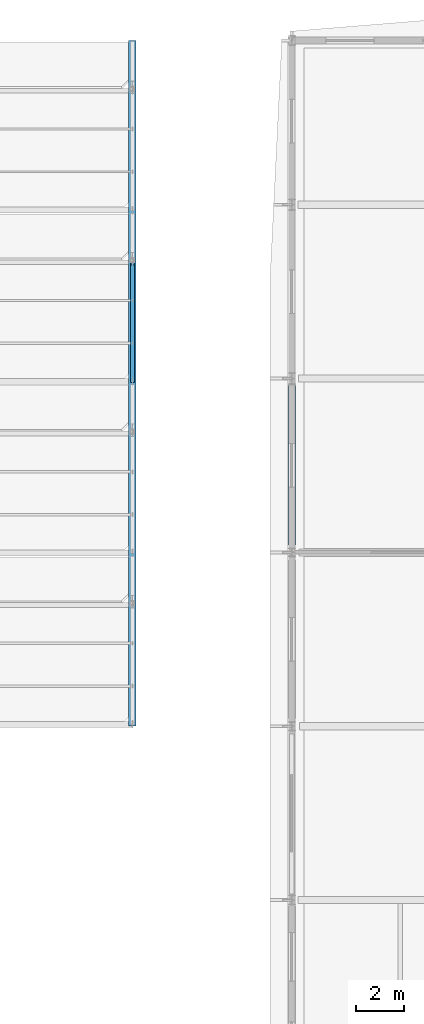
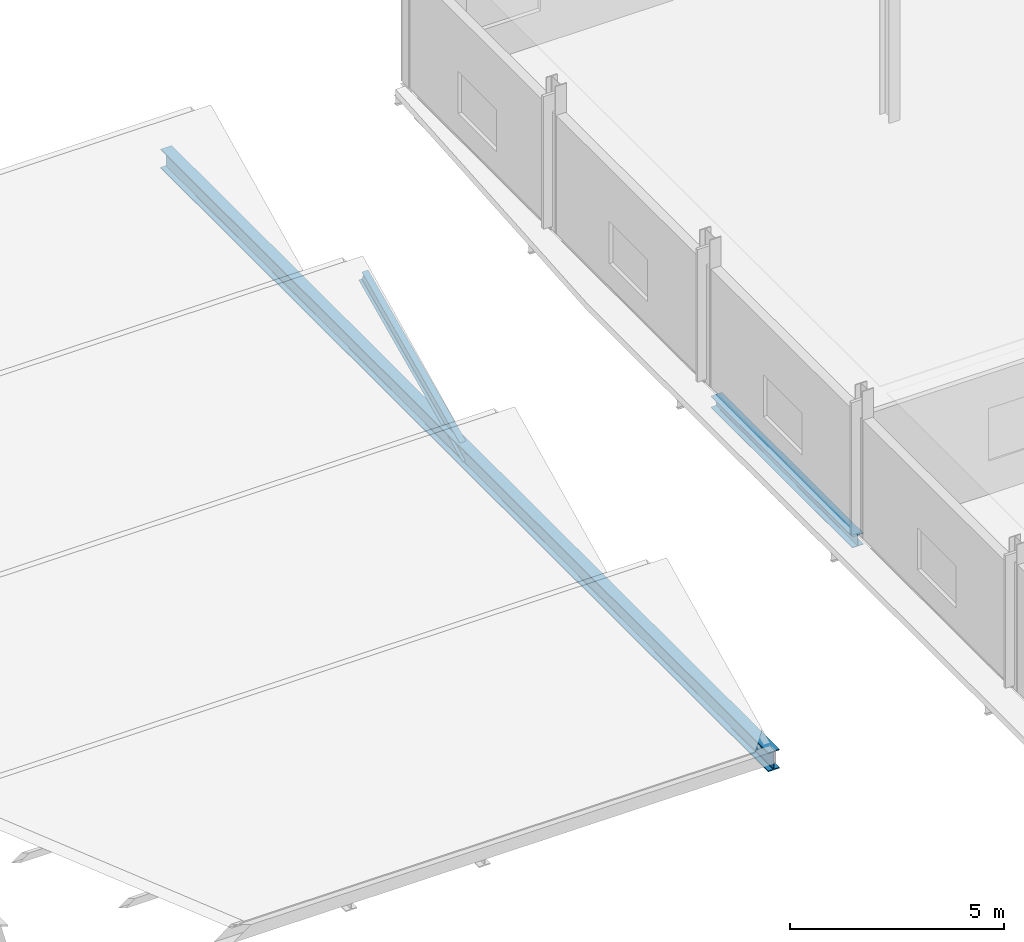
# One storey, part 84 of 138: 3 beams.
"""IFC4 building model written with IfcOpenShell, lengths in metres."""

from ifc_helpers import new_model, si_unit, direction, frame, origin, origin_2d, place, context, subcontext, project, spatial, i_section, extrude, material, material_profile, profile_set, type_object, element, save


model = new_model("IFC4")

# Units and contexts
model_context = context("Model", 3, precision=1e-05, world=origin(), true_north=direction((0.0, 1.0)))
body_context = subcontext(model_context, "Body", "Model", "MODEL_VIEW")
ifc_project = project(units=[si_unit("LENGTHUNIT", "METRE"), si_unit("AREAUNIT", "SQUARE_METRE"), si_unit("VOLUMEUNIT", "CUBIC_METRE"), si_unit("PLANEANGLEUNIT", "RADIAN"), si_unit("MASSUNIT", "GRAM", prefix="KILO")], contexts=[model_context])

# Site, building, storey
site_placement = place(None, origin())
site = spatial("IfcSite", under=ifc_project, at=site_placement, CompositionType="ELEMENT")
building_placement = place(site_placement, origin())
building = spatial("IfcBuilding", under=site, at=building_placement, Name="Vinh Khe Railworks Police Headquarters", CompositionType="ELEMENT")
storey_placement = place(building_placement, frame((0.0, 0.0, 9.0)))
storey = spatial("IfcBuildingStorey", under=building, at=storey_placement, Name="L02", CompositionType="ELEMENT", Elevation=9.0)

# Beams
ifc_material = material(Name="Steel S355JR", Category="steel")
ifc_material_profile_1 = material_profile(ifc_material, i_section(OverallWidth=0.300048828125, OverallDepth=0.330078125, WebThickness=0.009521484375, FlangeThickness=0.0166015625, FilletRadius=0.027099609375, at=origin_2d()), Name="HEA 340")
ifc_profile_set_1 = profile_set([ifc_material_profile_1], Name="Steel S355JR")
beam_type_1 = type_object("IfcBeamType", Name="Steel Girder HEA 340", PredefinedType="BEAM", material=ifc_profile_set_1)
beam_1_placement = place(storey_placement, frame((78.0, 145.5048828125, -0.385009765625), z_axis=(0.0, 1.0, 0.0), x_axis=(-1.0, 0.0, 0.0)))
element("IfcBeam", 1, at=beam_1_placement, inside=storey, type_object=beam_type_1, Name="Girder BM-L02-NS-SB-16-0980", PredefinedType="BEAM", context=body_context, shape_type="SweptSolid", body=[
    extrude(i_section(OverallWidth=0.300048828125, OverallDepth=0.330078125, WebThickness=0.009521484375, FlangeThickness=0.0166015625, FilletRadius=0.027099609375, at=origin_2d()), origin(), (0.0, 0.0, 1.0), 6.615234375),
])
ifc_material_profile_2 = material_profile(ifc_material, i_section(OverallWidth=0.300048828125, OverallDepth=0.550048828125, WebThickness=0.014892578125, FlangeThickness=0.029052734375, FilletRadius=0.027099609375, at=origin_2d()), Name="HEB 550")
ifc_profile_set_2 = profile_set([ifc_material_profile_2], Name="Steel S355JR")
beam_type_2 = type_object("IfcBeamType", Name="Steel Girder HEB 550", PredefinedType="BEAM", material=ifc_profile_set_2)
beam_2_placement = place(storey_placement, frame((71.39990234375, 138.0, 0.199951171875), z_axis=(0.0, 1.0, 0.0), x_axis=(-1.0, 0.0, 0.0)))
element("IfcBeam", 2, at=beam_2_placement, inside=storey, type_object=beam_type_2, Name="Sawtooth Carrier Girder X=71.4", PredefinedType="BEAM", context=body_context, shape_type="SweptSolid", body=[
    extrude(i_section(OverallWidth=0.300048828125, OverallDepth=0.550048828125, WebThickness=0.014892578125, FlangeThickness=0.029052734375, FilletRadius=0.027099609375, at=origin_2d()), origin(), (0.0, 0.0, 1.0), 28.39990234375),
])
ifc_material_profile_3 = material_profile(ifc_material, i_section(OverallWidth=0.169921875, OverallDepth=0.360107421875, WebThickness=0.008056640625, FlangeThickness=0.0126953125, FilletRadius=0.01806640625, at=origin_2d()), Name="IPE 360")
ifc_profile_set_3 = profile_set([ifc_material_profile_3], Name="Steel S355JR")
beam_type_3 = type_object("IfcBeamType", Name="Steel Girder IPE 360", PredefinedType="BEAM", material=ifc_profile_set_3)
beam_3_placement = place(storey_placement, frame((71.39990234375, 152.320068359375, 0.179931640625), z_axis=(0.0, 0.908174250162, 0.418592321171), x_axis=(-1.0, 0.0, 0.0)))
element("IfcBeam", 3, at=beam_3_placement, inside=storey, type_object=beam_type_3, Name="Sawtooth Slope Girder 3S", PredefinedType="BEAM", context=body_context, shape_type="SweptSolid", body=[
    extrude(i_section(OverallWidth=0.169921875, OverallDepth=0.360107421875, WebThickness=0.008056640625, FlangeThickness=0.0126953125, FilletRadius=0.01806640625, at=origin_2d()), origin(), (0.0, 0.0, 1.0), 5.351318359375),
])

save(model, "model.ifc")
